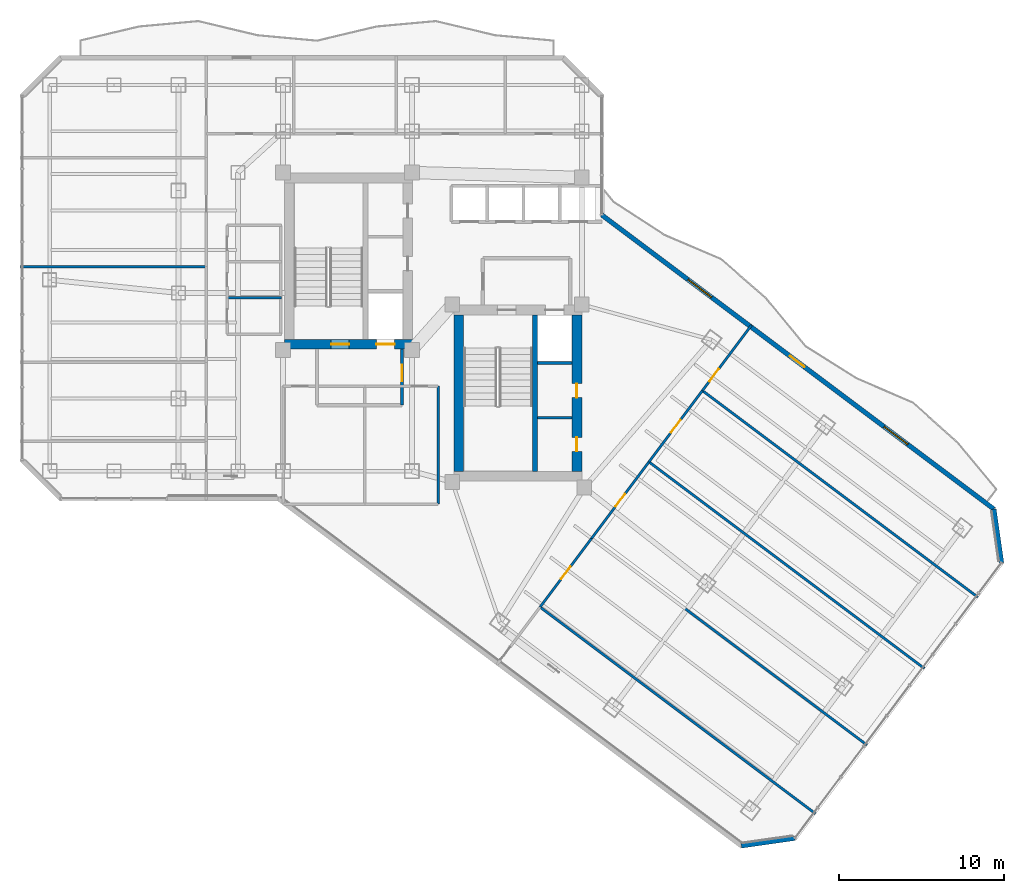
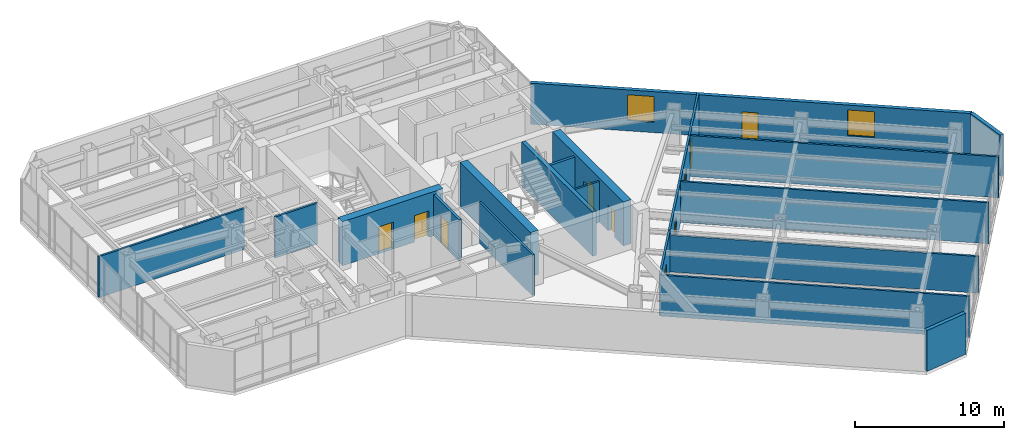
# One storey, part 24 of 31: 21 walls, 10 doors, 2 windows, 12 openings.
"""IFC4 building model written with IfcOpenShell, lengths in metres."""

import ifcopenshell
import ifcopenshell.guid

model = None  # the IFC model being written
_history = None  # IfcOwnerHistory: only IFC2X3 demands one
_inside = {}  # id of a spatial element -> (the spatial element, [elements in it])
_under = {}  # id of a project, library or spatial element -> (it, [spatial elements below it])
_declared = {}  # id of a project -> (the project, [libraries it declares])
_typed = {}  # id of a type object -> (the type object, [elements of that type])
_made_of = {}  # id of a material, layer set ... -> (it, [elements and type objects made of it])


def new_model(schema):
    """Start an empty IFC model of exactly this schema.

    Asked for "IFC4X3", IfcOpenShell would pick the latest addendum, in which some entities
    have other attributes; the version numbers below select the first issue.
    IFC2X3 requires an IfcOwnerHistory on every rooted entity: one is made here for all.
    """
    global model, _history
    if schema == "IFC4X3":
        model = ifcopenshell.file(schema_version=(4, 3, 0, 0))
    else:
        model = ifcopenshell.file(schema=schema)
    _inside.clear()
    _under.clear()
    _declared.clear()
    _typed.clear()
    _made_of.clear()
    _history = None
    if model.schema == "IFC2X3":
        org = make("IfcOrganization", Name="unknown")
        user = make(
            "IfcPersonAndOrganization",
            ThePerson=make("IfcPerson", FamilyName="unknown"),
            TheOrganization=org,
        )
        app = make(
            "IfcApplication",
            ApplicationDeveloper=org,
            Version="unknown",
            ApplicationFullName="unknown",
            ApplicationIdentifier="unknown",
        )
        _history = make(
            "IfcOwnerHistory",
            OwningUser=user,
            OwningApplication=app,
            ChangeAction="ADDED",
            CreationDate=0,
        )
    return model


def make(cls, **values):
    """One entity of the class cls with the attributes given. An attribute that is None is left unset."""
    return model.create_entity(
        cls, **{name: value for name, value in values.items() if value is not None}
    )


def rooted(cls, **values):
    """An entity with a GlobalId (a new one), such as an element, a storey or a relation."""
    return make(cls, GlobalId=ifcopenshell.guid.new(), OwnerHistory=_history, **values)


def si_unit(unit_type, name, prefix=None):
    """IfcSIUnit, for example si_unit("LENGTHUNIT", "METRE", prefix="MILLI")."""
    return make("IfcSIUnit", UnitType=unit_type, Prefix=prefix, Name=name)


def assignment(units):
    """IfcUnitAssignment: the units of a project."""
    return None if units is None else make("IfcUnitAssignment", Units=units)


def point(xyz):
    """IfcCartesianPoint."""
    return None if xyz is None else make("IfcCartesianPoint", Coordinates=xyz)


def direction(xyz):
    """IfcDirection."""
    return None if xyz is None else make("IfcDirection", DirectionRatios=xyz)


def frame(location, z_axis=None, x_axis=None):
    """IfcAxis2Placement3D, a coordinate frame: its origin and axes. An axis left out is left unset."""
    return make(
        "IfcAxis2Placement3D",
        Location=point(location),
        Axis=direction(z_axis),
        RefDirection=direction(x_axis),
    )


def frame_2d(location, x_axis=None):
    """IfcAxis2Placement2D, a coordinate frame in the plane: its origin and x axis."""
    return make(
        "IfcAxis2Placement2D", Location=point(location), RefDirection=direction(x_axis)
    )


def origin():
    """The frame at (0, 0, 0) with its axes left unset."""
    return frame((0.0, 0.0, 0.0))


def place(relative_to, where):
    """IfcLocalPlacement: puts the frame where relative to a parent placement (None: the world)."""
    return make(
        "IfcLocalPlacement", PlacementRelTo=relative_to, RelativePlacement=where
    )


def context(
    kind, dimensions, precision=None, world=None, true_north=None, identifier=None
):
    """IfcGeometricRepresentationContext, for example the 3D "Model" context."""
    return make(
        "IfcGeometricRepresentationContext",
        ContextIdentifier=identifier,
        ContextType=kind,
        CoordinateSpaceDimension=dimensions,
        Precision=precision,
        WorldCoordinateSystem=world,
        TrueNorth=true_north,
    )


def subcontext(parent, identifier, kind, view, scale=None):
    """IfcGeometricRepresentationSubContext, for example "Body" below "Model"."""
    return make(
        "IfcGeometricRepresentationSubContext",
        ContextIdentifier=identifier,
        ContextType=kind,
        ParentContext=parent,
        TargetScale=scale,
        TargetView=view,
    )


def project(units=None, contexts=None):
    """IfcProject with its units and contexts."""
    return rooted(
        "IfcProject",
        Name="project",
        RepresentationContexts=contexts,
        UnitsInContext=assignment(units),
    )


def spatial(cls, under=None, at=None, **own):
    """A site, building, storey or space (cls), placed at a placement, below another one or the project."""
    s = rooted(cls, ObjectPlacement=at, **own)
    if under is not None:
        _under.setdefault(under.id(), (under, []))[1].append(s)
    return s


def profile(cls, at=None, kind="AREA", **sizes):
    """A parametric profile (cls). Its sizes go by their IFC names, for example OverallWidth=200.0."""
    return make(cls, ProfileType=kind, Position=at, **sizes)


def rectangle(**sizes):
    """IfcRectangleProfileDef."""
    return profile("IfcRectangleProfileDef", **sizes)


def extrude(swept, where, along, depth):
    """IfcExtrudedAreaSolid: the profile swept, set in the frame where, extruded along a direction by depth."""
    return make(
        "IfcExtrudedAreaSolid",
        SweptArea=swept,
        Position=where,
        ExtrudedDirection=direction(along),
        Depth=depth,
    )


def shape(context_of_items, identifier, shape_type, items):
    """IfcShapeRepresentation: the items that make up one representation, for example the "Body"."""
    return make(
        "IfcShapeRepresentation",
        ContextOfItems=context_of_items,
        RepresentationIdentifier=identifier,
        RepresentationType=shape_type,
        Items=items,
    )


def material(Name=None, Category=None):
    """IfcMaterial."""
    return make("IfcMaterial", Name=Name, Category=Category)


def layer(
    of_material, thickness, ventilated=None, Name=None, Category=None, Priority=None
):
    """IfcMaterialLayer: one layer of a wall or slab, of a material (None: an air gap)."""
    return make(
        "IfcMaterialLayer",
        Material=of_material,
        LayerThickness=thickness,
        IsVentilated=ventilated,
        Name=Name,
        Category=Category,
        Priority=Priority,
    )


def layer_set(layers, Name=None):
    """IfcMaterialLayerSet."""
    return make("IfcMaterialLayerSet", MaterialLayers=layers, LayerSetName=Name)


def made_of(thing, what):
    """Note that an element or type object is made of a material, layer set ...; save() writes the relation."""
    if what is not None:
        _made_of.setdefault(what.id(), (what, []))[1].append(thing)
    return thing


def type_object(cls, material=None, **own):
    """A type object (cls), such as IfcWallType, which elements share."""
    return made_of(rooted(cls, **own), material)


def element(
    cls,
    number,
    at=None,
    inside=None,
    cuts=None,
    type_object=None,
    material=None,
    context=None,
    identifier="Body",
    shape_type=None,
    held_by="IfcProductDefinitionShape",
    body=None,
    shapes=None,
    **own,
):
    """One element of the class cls, such as IfcWall. Its Tag is "e" and its number.

    at: its placement. inside: the storey or other place that contains it. cuts: it is an
    opening in that element (IfcRelVoidsElement). A single representation is given by context,
    identifier, shape_type and body (its items); several are given by shapes. held_by: the class
    of the entity that holds the representations. save() writes the other relations.
    """
    e = rooted(cls, Tag="e%d" % number, ObjectPlacement=at, **own)
    if body is not None:
        shapes = [shape(context, identifier, shape_type, body)]
    if shapes is not None:
        e.Representation = make(held_by, Representations=shapes)
    if inside is not None:
        _inside.setdefault(inside.id(), (inside, []))[1].append(e)
    if cuts is not None:
        rooted(
            "IfcRelVoidsElement", RelatingBuildingElement=cuts, RelatedOpeningElement=e
        )
    if type_object is not None:
        _typed.setdefault(type_object.id(), (type_object, []))[1].append(e)
    return made_of(e, material)


def fill(opening, filler):
    """IfcRelFillsElement: the door or window that sits in an opening."""
    return rooted(
        "IfcRelFillsElement",
        RelatingOpeningElement=opening,
        RelatedBuildingElement=filler,
    )


def aggregate(whole, parts):
    """IfcRelAggregates: a whole, such as a stair, and the parts it consists of."""
    return rooted("IfcRelAggregates", RelatingObject=whole, RelatedObjects=parts)


def save(model, path):
    """Write the relations noted so far, then the file.

    IfcRelAggregates (storeys below a building ...), IfcRelContainedInSpatialStructure (elements
    in a storey), IfcRelDefinesByType, IfcRelAssociatesMaterial and IfcRelDeclares: one each for
    every whole, place, type object, material and project.
    """
    for whole, parts in _under.values():
        aggregate(whole, parts)
    for where, things in _inside.values():
        rooted(
            "IfcRelContainedInSpatialStructure",
            RelatedElements=things,
            RelatingStructure=where,
        )
    for kind, things in _typed.values():
        rooted("IfcRelDefinesByType", RelatedObjects=things, RelatingType=kind)
    for what, things in _made_of.values():
        rooted("IfcRelAssociatesMaterial", RelatedObjects=things, RelatingMaterial=what)
    for by, libraries in _declared.values():
        rooted("IfcRelDeclares", RelatingContext=by, RelatedDefinitions=libraries)
    model.write(path)


model = new_model("IFC4")

# Units and contexts
model_context = context("Model", 3, precision=1e-05, world=origin(), true_north=direction((0.0, 1.0)))
body_context = subcontext(model_context, "Body", "Model", "MODEL_VIEW")
ifc_project = project(units=[si_unit("LENGTHUNIT", "METRE"), si_unit("AREAUNIT", "SQUARE_METRE"), si_unit("VOLUMEUNIT", "CUBIC_METRE"), si_unit("PLANEANGLEUNIT", "RADIAN"), si_unit("MASSUNIT", "GRAM", prefix="KILO")], contexts=[model_context])

# Site, building, storey
site_placement = place(None, origin())
site = spatial("IfcSite", under=ifc_project, at=site_placement, CompositionType="ELEMENT")
building_placement = place(site_placement, origin())
building = spatial("IfcBuilding", under=site, at=building_placement, Name="Hatsunagi Terrace Concourse", CompositionType="ELEMENT")
storey_placement = place(building_placement, frame((0.0, 0.0, 112.050048828125)))
storey = spatial("IfcBuildingStorey", under=building, at=storey_placement, Name="L29", CompositionType="ELEMENT", Elevation=112.050048828125)

# Wall, openings, doors
ifc_material_1 = material(Name="Concrete Fc48", Category="concrete")
ifc_layer_1 = layer(ifc_material_1, 0.60009765625)
ifc_layer_set_1 = layer_set([ifc_layer_1], Name="CoreShearWall_Fc48_600")
wall_type_1 = type_object("IfcWallType", Name="CoreShearWall_Fc48_600", PredefinedType="SHEAR", material=ifc_layer_set_1)
wall_1_placement = place(storey_placement, frame((25.6201171875, 32.889892578125, 0.0), z_axis=(0.0, 0.0, 1.0), x_axis=(1.0, 0.0, 0.0)))
wall_1 = element("IfcWall", 1, at=wall_1_placement, inside=storey, type_object=wall_type_1, Name="Core A Shear Wall S L29", PredefinedType="SHEAR", context=body_context, shape_type="SweptSolid", body=[
    extrude(rectangle(XDim=7.77978515625, YDim=0.60009765625, at=frame_2d((3.889892578125, 0.0))), origin(), (0.0, 0.0, 1.0), 3.599853515625),
])
opening_1_placement = place(wall_1_placement, frame((2.830078125, 0.0, 0.0)))
opening_1 = element("IfcOpeningElement", 2, at=opening_1_placement, cuts=wall_1, Name="Opening DR-110S", PredefinedType="OPENING", context=body_context, shape_type="SweptSolid", body=[
    extrude(rectangle(XDim=1.10009765625, YDim=2.199951171875, at=frame_2d((0.550048828125, 1.10009765625))), frame((0.0, 0.31005859375, 0.0), z_axis=(0.0, -1.0, 0.0), x_axis=(1.0, 0.0, 0.0)), (0.0, 0.0, 1.0), 0.6201171875),
])
opening_2_placement = place(wall_1_placement, frame((5.580078125, 0.0, 0.0)))
opening_2 = element("IfcOpeningElement", 3, at=opening_2_placement, cuts=wall_1, Name="Opening LD-01", PredefinedType="OPENING", context=body_context, shape_type="SweptSolid", body=[
    extrude(rectangle(XDim=1.10009765625, YDim=2.14990234375, at=frame_2d((0.550048828125, 1.074951171875))), frame((0.0, 0.31005859375, 0.0), z_axis=(0.0, -1.0, 0.0), x_axis=(1.0, 0.0, 0.0)), (0.0, 0.0, 1.0), 0.6201171875),
])
ifc_material_2 = material(Name="Stainless steel", Category="steel")
door_type_1 = type_object("IfcDoorType", Name="LiftLandingDoor_LD01", OperationType="SLIDING_TO_LEFT", PredefinedType="USERDEFINED", material=ifc_material_2)
door_1_placement = place(opening_2_placement, origin())
door_1 = element("IfcDoor", 4, at=door_1_placement, inside=storey, type_object=door_type_1, Name="Lift landing door FF-01 L29", ObjectType="SLIDING_LANDING_DOOR", OperationType="SLIDING_TO_LEFT", OverallHeight=2.14990234375, OverallWidth=1.10009765625, PredefinedType="USERDEFINED", context=body_context, shape_type="SweptSolid", body=[
    extrude(rectangle(XDim=1.10009765625, YDim=2.14990234375, at=frame_2d((0.550048828125, 1.074951171875))), frame((0.0, 0.02490234375, 0.0), z_axis=(0.0, -1.0, 0.0), x_axis=(1.0, 0.0, 0.0)), (0.0, 0.0, 1.0), 0.050048828125),
])
fill(opening_2, door_1)
ifc_material_3 = material(Name="Painted steel", Category="steel")
door_type_2 = type_object("IfcDoorType", Name="StairFireDoor_EI60_1100", OperationType="NOTDEFINED", PredefinedType="DOOR", material=ifc_material_3)
door_2_placement = place(opening_1_placement, origin())
door_2 = element("IfcDoor", 5, at=door_2_placement, inside=storey, type_object=door_type_2, Name="Stair ST-A Exit Door L29", OperationType="SINGLE_SWING_LEFT", OverallHeight=2.199951171875, OverallWidth=1.10009765625, PredefinedType="DOOR", context=body_context, shape_type="SweptSolid", body=[
    extrude(rectangle(XDim=1.10009765625, YDim=2.199951171875, at=frame_2d((0.550048828125, 1.10009765625))), frame((0.0, 0.02490234375, 0.0), z_axis=(0.0, -1.0, 0.0), x_axis=(1.0, 0.0, 0.0)), (0.0, 0.0, 1.0), 0.050048828125),
])
fill(opening_1, door_2)

# Wall
wall_2_placement = place(storey_placement, frame((36.18994140625, 25.18994140625, 0.0), z_axis=(0.0, 0.0, 1.0), x_axis=(0.0, 1.0, 0.0)))
element("IfcWall", 6, at=wall_2_placement, inside=storey, type_object=wall_type_1, Name="Core B Shear Wall W L29", PredefinedType="SHEAR", context=body_context, shape_type="SweptSolid", body=[
    extrude(rectangle(XDim=9.47998046875, YDim=0.60009765625, at=frame_2d((4.739990234375, 0.0))), origin(), (0.0, 0.0, 1.0), 3.599853515625),
])

# Wall, openings, doors
wall_3_placement = place(storey_placement, frame((43.35009765625, 25.18994140625, 0.0), z_axis=(0.0, 0.0, 1.0), x_axis=(0.0, 1.0, 0.0)))
wall_3 = element("IfcWall", 7, at=wall_3_placement, inside=storey, type_object=wall_type_1, Name="Core B Shear Wall E L29", PredefinedType="SHEAR", context=body_context, shape_type="SweptSolid", body=[
    extrude(rectangle(XDim=9.47998046875, YDim=0.60009765625, at=frame_2d((4.739990234375, 0.0))), origin(), (0.0, 0.0, 1.0), 3.599853515625),
])
opening_3_placement = place(wall_3_placement, frame((1.2099609375, 0.0, 0.0)))
opening_3 = element("IfcOpeningElement", 8, at=opening_3_placement, cuts=wall_3, Name="Opening DR-085", PredefinedType="OPENING", context=body_context, shape_type="SweptSolid", body=[
    extrude(rectangle(XDim=0.85009765625, YDim=2.080078125, at=frame_2d((0.425048828125, 1.0400390625))), frame((0.0, 0.31005859375, 0.0), z_axis=(0.0, -1.0, 0.0), x_axis=(1.0, 0.0, 0.0)), (0.0, 0.0, 1.0), 0.6201171875),
])
opening_4_placement = place(wall_3_placement, frame((4.4599609375, 0.0, 0.0)))
opening_4 = element("IfcOpeningElement", 9, at=opening_4_placement, cuts=wall_3, Name="Opening DR-085", PredefinedType="OPENING", context=body_context, shape_type="SweptSolid", body=[
    extrude(rectangle(XDim=0.85009765625, YDim=2.080078125, at=frame_2d((0.425048828125, 1.0400390625))), frame((0.0, 0.31005859375, 0.0), z_axis=(0.0, -1.0, 0.0), x_axis=(1.0, 0.0, 0.0)), (0.0, 0.0, 1.0), 0.6201171875),
])
ifc_material_4 = material(Name="Painted steel", Category="steel")
door_type_3 = type_object("IfcDoorType", Name="RiserAccessDoor_EI60_850", OperationType="NOTDEFINED", PredefinedType="DOOR", material=ifc_material_4)
door_3_placement = place(opening_3_placement, origin())
door_3 = element("IfcDoor", 10, at=door_3_placement, inside=storey, type_object=door_type_3, Name="Core B Riser Door L29-1", OperationType="SINGLE_SWING_RIGHT", OverallHeight=2.080078125, OverallWidth=0.85009765625, PredefinedType="DOOR", context=body_context, shape_type="SweptSolid", body=[
    extrude(rectangle(XDim=0.85009765625, YDim=2.080078125, at=frame_2d((0.425048828125, 1.0400390625))), frame((0.0, 0.02490234375, 0.0), z_axis=(0.0, -1.0, 0.0), x_axis=(1.0, 0.0, 0.0)), (0.0, 0.0, 1.0), 0.050048828125),
])
fill(opening_3, door_3)
door_4_placement = place(opening_4_placement, origin())
door_4 = element("IfcDoor", 11, at=door_4_placement, inside=storey, type_object=door_type_3, Name="Core B Riser Door L29-2", OperationType="SINGLE_SWING_RIGHT", OverallHeight=2.080078125, OverallWidth=0.85009765625, PredefinedType="DOOR", context=body_context, shape_type="SweptSolid", body=[
    extrude(rectangle(XDim=0.85009765625, YDim=2.080078125, at=frame_2d((0.425048828125, 1.0400390625))), frame((0.0, 0.02490234375, 0.0), z_axis=(0.0, -1.0, 0.0), x_axis=(1.0, 0.0, 0.0)), (0.0, 0.0, 1.0), 0.050048828125),
])
fill(opening_4, door_4)

# Walls
ifc_material_5 = material(Name="Concrete Fc48", Category="concrete")
ifc_layer_2 = layer(ifc_material_5, 0.300048828125)
ifc_layer_set_2 = layer_set([ifc_layer_2], Name="CoreStairDivider_Fc48_300")
wall_type_2 = type_object("IfcWallType", Name="CoreStairDivider_Fc48_300", PredefinedType="SHEAR", material=ifc_layer_set_2)
wall_4_placement = place(storey_placement, frame((40.81005859375, 25.18994140625, 0.0), z_axis=(0.0, 0.0, 1.0), x_axis=(0.0, 1.0, 0.0)))
element("IfcWall", 12, at=wall_4_placement, inside=storey, type_object=wall_type_2, Name="Core B Shear Wall D L29", PredefinedType="SHEAR", context=body_context, shape_type="SweptSolid", body=[
    extrude(rectangle(XDim=9.47998046875, YDim=0.300048828125, at=frame_2d((4.739990234375, 0.0))), origin(), (0.0, 0.0, 1.0), 3.599853515625),
])
ifc_material_6 = material(Name="Acoustic mineral board", Category="gypsum")
ifc_layer_3 = layer(ifc_material_6, 0.14990234375)
ifc_layer_set_3 = layer_set([ifc_layer_3], Name="PartitionWall_EI60_150")
wall_type_3 = type_object("IfcWallType", Name="PartitionWall_EI60_150", PredefinedType="PARTITIONING", material=ifc_layer_set_3)
wall_5_placement = place(storey_placement, frame((40.969970703125, 28.449951171875, 0.0), z_axis=(0.0, 0.0, 1.0), x_axis=(1.0, 0.0, 0.0)))
element("IfcWall", 13, at=wall_5_placement, inside=storey, type_object=wall_type_3, Name="Interior Partition IW-L29-004", PredefinedType="PARTITIONING", context=body_context, shape_type="SweptSolid", body=[
    extrude(rectangle(XDim=2.080078125, YDim=0.14990234375, at=frame_2d((1.0400390625, 0.0))), origin(), (0.0, 0.0, 1.0), 3.349853515625),
])
wall_6_placement = place(storey_placement, frame((22.14990234375, 35.699951171875, 0.0), z_axis=(0.0, 0.0, 1.0), x_axis=(1.0, 0.0, 0.0)))
element("IfcWall", 14, at=wall_6_placement, inside=storey, type_object=wall_type_3, Name="Interior Partition IW-L29-020", PredefinedType="PARTITIONING", context=body_context, shape_type="SweptSolid", body=[
    extrude(rectangle(XDim=3.300048828125, YDim=0.14990234375, at=frame_2d((1.64990234375, 0.0))), origin(), (0.0, 0.0, 1.0), 3.349853515625),
])
wall_7_placement = place(storey_placement, frame((34.949951171875, 23.199951171875, 0.0), z_axis=(0.0, 0.0, 1.0), x_axis=(0.0, 1.0, 0.0)))
element("IfcWall", 15, at=wall_7_placement, inside=storey, type_object=wall_type_3, Name="Interior Partition IW-L29-031", PredefinedType="PARTITIONING", context=body_context, shape_type="SweptSolid", body=[
    extrude(rectangle(XDim=7.150146484375, YDim=0.14990234375, at=frame_2d((3.5751953125, 0.0))), origin(), (0.0, 0.0, 1.0), 3.349853515625),
])
wall_8_placement = place(storey_placement, frame((9.639892578125, 37.60009765625, 0.0), z_axis=(0.0, 0.0, 1.0), x_axis=(1.0, 0.0, 0.0)))
element("IfcWall", 16, at=wall_8_placement, inside=storey, type_object=wall_type_3, Name="Interior Partition IW-L29-036", PredefinedType="PARTITIONING", context=body_context, shape_type="SweptSolid", body=[
    extrude(rectangle(XDim=11.260009765625, YDim=0.14990234375, at=frame_2d((5.6298828125, 0.0))), origin(), (0.0, 0.0, 1.0), 3.349853515625),
])
wall_9_placement = place(storey_placement, frame((41.1201171875, 16.9599609375, 0.0), z_axis=(0.0, 0.0, 1.0), x_axis=(0.800002808908, -0.599996254772, 0.0)))
element("IfcWall", 17, at=wall_9_placement, inside=storey, type_object=wall_type_3, Name="Interior Partition IW-L29-048", PredefinedType="PARTITIONING", context=body_context, shape_type="SweptSolid", body=[
    extrude(rectangle(XDim=20.85986328125, YDim=0.14990234375, at=frame_2d((10.429931640625, 0.0))), origin(), (0.0, 0.0, 1.0), 3.349853515625),
])
wall_10_placement = place(storey_placement, frame((44.239990234375, 21.1201171875, 0.0), z_axis=(0.0, 0.0, 1.0), x_axis=(0.799997191095, -0.600003745189, 0.0)))
element("IfcWall", 18, at=wall_10_placement, inside=storey, type_object=wall_type_3, Name="Interior Partition IW-L29-050", PredefinedType="PARTITIONING", context=body_context, shape_type="SweptSolid", body=[
    extrude(rectangle(XDim=20.860107421875, YDim=0.14990234375, at=frame_2d((10.43017578125, 0.0))), origin(), (0.0, 0.0, 1.0), 2.994873046875),
])

# Wall, opening, door
wall_11_placement = place(storey_placement, frame((41.1201171875, 16.9599609375, 0.0), z_axis=(0.0, 0.0, 1.0), x_axis=(0.599969951782, 0.800022535282, 0.0)))
wall_11 = element("IfcWall", 19, at=wall_11_placement, inside=storey, type_object=wall_type_3, Name="Interior Partition IW-L29-051", PredefinedType="PARTITIONING", context=body_context, shape_type="SweptSolid", body=[
    extrude(rectangle(XDim=5.199951171875, YDim=0.14990234375, at=frame_2d((2.60009765625, 0.0))), origin(), (0.0, 0.0, 1.0), 3.349853515625),
])
opening_5_placement = place(wall_11_placement, frame((2.125, 0.0, 0.0)))
opening_5 = element("IfcOpeningElement", 20, at=opening_5_placement, cuts=wall_11, Name="Opening DR-095", PredefinedType="OPENING", context=body_context, shape_type="SweptSolid", body=[
    extrude(rectangle(XDim=0.949951171875, YDim=2.14990234375, at=frame_2d((0.47509765625, 1.074951171875))), frame((0.0, 0.0849609375, 0.0), z_axis=(0.0, -1.0, 0.0), x_axis=(1.0, 0.0, 0.0)), (0.0, 0.0, 1.0), 0.169921875),
])
ifc_material_7 = material(Name="Hardwood timber", Category="wood")
door_type_4 = type_object("IfcDoorType", Name="InteriorSuiteDoor_EI30_950", OperationType="NOTDEFINED", PredefinedType="DOOR", material=ifc_material_7)
door_5_placement = place(opening_5_placement, origin())
door_5 = element("IfcDoor", 21, at=door_5_placement, inside=storey, type_object=door_type_4, Name="Executive Office L29-OSE2 Door", OperationType="SINGLE_SWING_RIGHT", OverallHeight=2.14990234375, OverallWidth=0.949951171875, PredefinedType="DOOR", context=body_context, shape_type="SweptSolid", body=[
    extrude(rectangle(XDim=0.949951171875, YDim=2.14990234375, at=frame_2d((0.47509765625, 1.074951171875))), frame((0.0, 0.02490234375, 0.0), z_axis=(0.0, -1.0, 0.0), x_axis=(1.0, 0.0, 0.0)), (0.0, 0.0, 1.0), 0.050048828125),
])
fill(opening_5, door_5)

# Wall
wall_12_placement = place(storey_placement, frame((47.719970703125, 25.760009765625, 0.0), z_axis=(0.0, 0.0, 1.0), x_axis=(0.799997191095, -0.600003745189, 0.0)))
element("IfcWall", 22, at=wall_12_placement, inside=storey, type_object=wall_type_3, Name="Interior Partition IW-L29-052", PredefinedType="PARTITIONING", context=body_context, shape_type="SweptSolid", body=[
    extrude(rectangle(XDim=20.860107421875, YDim=0.14990234375, at=frame_2d((10.43017578125, 0.0))), origin(), (0.0, 0.0, 1.0), 3.349853515625),
])

# Wall, opening, door
wall_13_placement = place(storey_placement, frame((44.239990234375, 21.1201171875, 0.0), z_axis=(0.0, 0.0, 1.0), x_axis=(0.600006735006, 0.799994948701, 0.0)))
wall_13 = element("IfcWall", 23, at=wall_13_placement, inside=storey, type_object=wall_type_3, Name="Interior Partition IW-L29-053", PredefinedType="PARTITIONING", context=body_context, shape_type="SweptSolid", body=[
    extrude(rectangle(XDim=5.7998046875, YDim=0.14990234375, at=frame_2d((2.89990234375, 0.0))), origin(), (0.0, 0.0, 1.0), 3.349853515625),
])
opening_6_placement = place(wall_13_placement, frame((2.425048828125, 0.0, 0.0)))
opening_6 = element("IfcOpeningElement", 24, at=opening_6_placement, cuts=wall_13, Name="Opening DR-095", PredefinedType="OPENING", context=body_context, shape_type="SweptSolid", body=[
    extrude(rectangle(XDim=0.949951171875, YDim=2.14990234375, at=frame_2d((0.47509765625, 1.074951171875))), frame((0.0, 0.0849609375, 0.0), z_axis=(0.0, -1.0, 0.0), x_axis=(1.0, 0.0, 0.0)), (0.0, 0.0, 1.0), 0.169921875),
])
door_6_placement = place(opening_6_placement, origin())
door_6 = element("IfcDoor", 25, at=door_6_placement, inside=storey, type_object=door_type_4, Name="Meeting Room L29-OSE3 Door", OperationType="SINGLE_SWING_RIGHT", OverallHeight=2.14990234375, OverallWidth=0.949951171875, PredefinedType="DOOR", context=body_context, shape_type="SweptSolid", body=[
    extrude(rectangle(XDim=0.949951171875, YDim=2.14990234375, at=frame_2d((0.47509765625, 1.074951171875))), frame((0.0, 0.02490234375, 0.0), z_axis=(0.0, -1.0, 0.0), x_axis=(1.0, 0.0, 0.0)), (0.0, 0.0, 1.0), 0.050048828125),
])
fill(opening_6, door_6)

# Wall
wall_14_placement = place(storey_placement, frame((50.9599609375, 30.080078125, 0.0), z_axis=(0.0, 0.0, 1.0), x_axis=(0.799997191095, -0.600003745189, 0.0)))
element("IfcWall", 26, at=wall_14_placement, inside=storey, type_object=wall_type_3, Name="Interior Partition IW-L29-054", PredefinedType="PARTITIONING", context=body_context, shape_type="SweptSolid", body=[
    extrude(rectangle(XDim=20.860107421875, YDim=0.14990234375, at=frame_2d((10.43017578125, 0.0))), origin(), (0.0, 0.0, 1.0), 3.349853515625),
])

# Wall, opening, door
wall_15_placement = place(storey_placement, frame((47.719970703125, 25.760009765625, 0.0), z_axis=(0.0, 0.0, 1.0), x_axis=(0.599992766245, 0.800005425265, 0.0)))
wall_15 = element("IfcWall", 27, at=wall_15_placement, inside=storey, type_object=wall_type_3, Name="Interior Partition IW-L29-055", PredefinedType="PARTITIONING", context=body_context, shape_type="SweptSolid", body=[
    extrude(rectangle(XDim=5.400146484375, YDim=0.14990234375, at=frame_2d((2.7001953125, 0.0))), origin(), (0.0, 0.0, 1.0), 3.349853515625),
])
opening_7_placement = place(wall_15_placement, frame((2.22509765625, 0.0, 0.0)))
opening_7 = element("IfcOpeningElement", 28, at=opening_7_placement, cuts=wall_15, Name="Opening DR-095", PredefinedType="OPENING", context=body_context, shape_type="SweptSolid", body=[
    extrude(rectangle(XDim=0.949951171875, YDim=2.14990234375, at=frame_2d((0.47509765625, 1.074951171875))), frame((0.0, 0.0849609375, 0.0), z_axis=(0.0, -1.0, 0.0), x_axis=(1.0, 0.0, 0.0)), (0.0, 0.0, 1.0), 0.169921875),
])
door_7_placement = place(opening_7_placement, origin())
door_7 = element("IfcDoor", 29, at=door_7_placement, inside=storey, type_object=door_type_4, Name="Design Studio L29-OSE4 Door", OperationType="SINGLE_SWING_RIGHT", OverallHeight=2.14990234375, OverallWidth=0.949951171875, PredefinedType="DOOR", context=body_context, shape_type="SweptSolid", body=[
    extrude(rectangle(XDim=0.949951171875, YDim=2.14990234375, at=frame_2d((0.47509765625, 1.074951171875))), frame((0.0, 0.02490234375, 0.0), z_axis=(0.0, -1.0, 0.0), x_axis=(1.0, 0.0, 0.0)), (0.0, 0.0, 1.0), 0.050048828125),
])
fill(opening_7, door_7)

wall_16_placement = place(storey_placement, frame((50.9599609375, 30.080078125, 0.0), z_axis=(0.0, 0.0, 1.0), x_axis=(0.600007875382, 0.799994093403, 0.0)))
wall_16 = element("IfcWall", 30, at=wall_16_placement, inside=storey, type_object=wall_type_3, Name="Interior Partition IW-L29-056", PredefinedType="PARTITIONING", context=body_context, shape_type="SweptSolid", body=[
    extrude(rectangle(XDim=4.9599609375, YDim=0.14990234375, at=frame_2d((2.47998046875, 0.0))), origin(), (0.0, 0.0, 1.0), 3.349853515625),
])
opening_8_placement = place(wall_16_placement, frame((0.705078125, 0.0, 0.0)))
opening_8 = element("IfcOpeningElement", 31, at=opening_8_placement, cuts=wall_16, Name="Opening DR-095", PredefinedType="OPENING", context=body_context, shape_type="SweptSolid", body=[
    extrude(rectangle(XDim=0.949951171875, YDim=2.14990234375, at=frame_2d((0.47509765625, 1.074951171875))), frame((0.0, 0.0849609375, 0.0), z_axis=(0.0, -1.0, 0.0), x_axis=(1.0, 0.0, 0.0)), (0.0, 0.0, 1.0), 0.169921875),
])
door_8_placement = place(opening_8_placement, origin())
door_8 = element("IfcDoor", 32, at=door_8_placement, inside=storey, type_object=door_type_4, Name="Focus Room L29-OSE5 Door", OperationType="SINGLE_SWING_RIGHT", OverallHeight=2.14990234375, OverallWidth=0.949951171875, PredefinedType="DOOR", context=body_context, shape_type="SweptSolid", body=[
    extrude(rectangle(XDim=0.949951171875, YDim=2.14990234375, at=frame_2d((0.47509765625, 1.074951171875))), frame((0.0, 0.02490234375, 0.0), z_axis=(0.0, -1.0, 0.0), x_axis=(1.0, 0.0, 0.0)), (0.0, 0.0, 1.0), 0.050048828125),
])
fill(opening_8, door_8)

# Wall
ifc_material_8 = material(Name="Acoustic mineral board", Category="gypsum")
ifc_layer_4 = layer(ifc_material_8, 0.199951171875)
ifc_layer_set_4 = layer_set([ifc_layer_4], Name="ShaftWall_EI120_200")
wall_type_4 = type_object("IfcWallType", Name="ShaftWall_EI120_200", PredefinedType="STANDARD", material=ifc_layer_set_4)
wall_17_placement = place(storey_placement, frame((40.969970703125, 31.760009765625, 0.0), z_axis=(0.0, 0.0, 1.0), x_axis=(1.0, 0.0, 0.0)))
element("IfcWall", 33, at=wall_17_placement, inside=storey, type_object=wall_type_4, Name="Interior Partition IW-L29-003", PredefinedType="STANDARD", context=body_context, shape_type="SweptSolid", body=[
    extrude(rectangle(XDim=2.080078125, YDim=0.199951171875, at=frame_2d((1.0400390625, 0.0))), origin(), (0.0, 0.0, 1.0), 3.349853515625),
])

# Wall, opening, door
wall_18_placement = place(storey_placement, frame((32.75, 29.199951171875, 0.0), z_axis=(0.0, 0.0, 1.0), x_axis=(0.0, 1.0, 0.0)))
wall_18 = element("IfcWall", 34, at=wall_18_placement, inside=storey, type_object=wall_type_4, Name="Interior Partition IW-L29-007", PredefinedType="STANDARD", context=body_context, shape_type="SweptSolid", body=[
    extrude(rectangle(XDim=3.39013671875, YDim=0.199951171875, at=frame_2d((1.695068359375, 0.0))), origin(), (0.0, 0.0, 1.0), 3.349853515625),
])
opening_9_placement = place(wall_18_placement, frame((1.449951171875, 0.0, 0.0)))
opening_9 = element("IfcOpeningElement", 35, at=opening_9_placement, cuts=wall_18, Name="Opening DR-100F", PredefinedType="OPENING", context=body_context, shape_type="SweptSolid", body=[
    extrude(rectangle(XDim=1.0, YDim=2.199951171875, at=frame_2d((0.5, 1.10009765625))), frame((0.0, 0.10986328125, 0.0), z_axis=(0.0, -1.0, 0.0), x_axis=(1.0, 0.0, 0.0)), (0.0, 0.0, 1.0), 0.219970703125),
])
ifc_material_9 = material(Name="Painted steel", Category="steel")
door_type_5 = type_object("IfcDoorType", Name="FireDoor_EI60_1000", OperationType="NOTDEFINED", PredefinedType="DOOR", material=ifc_material_9)
door_9_placement = place(opening_9_placement, origin())
door_9 = element("IfcDoor", 36, at=door_9_placement, inside=storey, type_object=door_type_5, Name="Firefighting Lobby A Door L29", OperationType="SINGLE_SWING_RIGHT", OverallHeight=2.199951171875, OverallWidth=1.0, PredefinedType="DOOR", context=body_context, shape_type="SweptSolid", body=[
    extrude(rectangle(XDim=1.0, YDim=2.199951171875, at=frame_2d((0.5, 1.10009765625))), frame((0.0, 0.02490234375, 0.0), z_axis=(0.0, -1.0, 0.0), x_axis=(1.0, 0.0, 0.0)), (0.0, 0.0, 1.0), 0.050048828125),
])
fill(opening_9, door_9)

# Wall, openings, door, windows
ifc_material_10 = material(Name="Autoclaved Lightweight Concrete and Terracotta Cladding", Category="masonry")
ifc_layer_5 = layer(ifc_material_10, 0.280029296875)
ifc_layer_set_5 = layer_set([ifc_layer_5], Name="TerracottaSpandrelWall_280")
wall_type_5 = type_object("IfcWallType", Name="TerracottaSpandrelWall_280", PredefinedType="STANDARD", material=ifc_layer_set_5)
wall_19_placement = place(storey_placement, frame((44.860107421875, 40.72998046875, 0.0), z_axis=(0.0, 0.0, 1.0), x_axis=(0.800006902154, -0.599990797017, 0.0)))
wall_19 = element("IfcWall", 37, at=wall_19_placement, inside=storey, type_object=wall_type_5, Name="Exterior Spandrel Wall EW-L29-01", PredefinedType="STANDARD", context=body_context, shape_type="SweptSolid", body=[
    extrude(rectangle(XDim=29.7119140625, YDim=0.280029296875, at=frame_2d((14.85595703125, 0.0))), origin(), (0.0, 0.0, 1.0), 3.349853515625),
])
opening_10_placement = place(wall_19_placement, frame((14.2490234375, 0.0, 0.0)))
opening_10 = element("IfcOpeningElement", 38, at=opening_10_placement, cuts=wall_19, Name="Opening BD-01", PredefinedType="OPENING", context=body_context, shape_type="SweptSolid", body=[
    extrude(rectangle(XDim=1.10009765625, YDim=2.199951171875, at=frame_2d((0.550048828125, 1.10009765625))), frame((0.0, 0.14990234375, 0.0), z_axis=(0.0, -1.0, 0.0), x_axis=(1.0, 0.0, 0.0)), (0.0, 0.0, 1.0), 0.300048828125),
])
opening_11_placement = place(wall_19_placement, frame((6.528076171875, 0.0, 0.85009765625)))
opening_11 = element("IfcOpeningElement", 39, at=opening_11_placement, cuts=wall_19, Name="Opening WIN-03", PredefinedType="OPENING", context=body_context, shape_type="SweptSolid", body=[
    extrude(rectangle(XDim=1.800048828125, YDim=2.10009765625, at=frame_2d((0.89990234375, 1.050048828125))), frame((0.0, 0.14990234375, 0.0), z_axis=(0.0, -1.0, 0.0), x_axis=(1.0, 0.0, 0.0)), (0.0, 0.0, 1.0), 0.300048828125),
])
opening_12_placement = place(wall_19_placement, frame((21.384033203125, 0.0, 0.85009765625)))
opening_12 = element("IfcOpeningElement", 40, at=opening_12_placement, cuts=wall_19, Name="Opening WIN-03", PredefinedType="OPENING", context=body_context, shape_type="SweptSolid", body=[
    extrude(rectangle(XDim=1.800048828125, YDim=2.10009765625, at=frame_2d((0.89990234375, 1.050048828125))), frame((0.0, 0.14990234375, 0.0), z_axis=(0.0, -1.0, 0.0), x_axis=(1.0, 0.0, 0.0)), (0.0, 0.0, 1.0), 0.300048828125),
])
ifc_material_11 = material(Name="Galvanised Steel and Laminated Safety Glass", Category="steel")
door_type_6 = type_object("IfcDoorType", Name="BalconyTerraceAccessDoor_1100x2200", OperationType="SINGLE_SWING_LEFT", PredefinedType="DOOR", material=ifc_material_11)
door_10_placement = place(opening_10_placement, origin())
door_10 = element("IfcDoor", 41, at=door_10_placement, inside=storey, type_object=door_type_6, Name="Engawa Balcony Door L29-BSE", OperationType="SINGLE_SWING_LEFT", OverallHeight=2.199951171875, OverallWidth=1.10009765625, PredefinedType="DOOR", context=body_context, shape_type="SweptSolid", body=[
    extrude(rectangle(XDim=1.10009765625, YDim=2.199951171875, at=frame_2d((0.550048828125, 1.10009765625))), frame((0.0, 0.02490234375, 0.0), z_axis=(0.0, -1.0, 0.0), x_axis=(1.0, 0.0, 0.0)), (0.0, 0.0, 1.0), 0.050048828125),
])
fill(opening_10, door_10)
ifc_material_12 = material(Name="Thermally Broken Aluminium and Low-E Triple Glazing", Category="aluminium")
window_type = type_object("IfcWindowType", Name="OfficeCornerFeatureWindow_1800x2100", PartitioningType="SINGLE_PANEL", PredefinedType="WINDOW", material=ifc_material_12)
window_1_placement = place(opening_11_placement, origin())
window_1 = element("IfcWindow", 42, at=window_1_placement, inside=storey, type_object=window_type, Name="Balcony Daylighting Window L29-01-1", OverallHeight=2.10009765625, OverallWidth=1.800048828125, PartitioningType="SINGLE_PANEL", PredefinedType="WINDOW", context=body_context, shape_type="SweptSolid", body=[
    extrude(rectangle(XDim=1.800048828125, YDim=2.10009765625, at=frame_2d((0.89990234375, 1.050048828125))), frame((0.0, 0.030029296875, 0.0), z_axis=(0.0, -1.0, 0.0), x_axis=(1.0, 0.0, 0.0)), (0.0, 0.0, 1.0), 0.06005859375),
])
fill(opening_11, window_1)
window_2_placement = place(opening_12_placement, origin())
window_2 = element("IfcWindow", 43, at=window_2_placement, inside=storey, type_object=window_type, Name="Balcony Daylighting Window L29-01-2", OverallHeight=2.10009765625, OverallWidth=1.800048828125, PartitioningType="SINGLE_PANEL", PredefinedType="WINDOW", context=body_context, shape_type="SweptSolid", body=[
    extrude(rectangle(XDim=1.800048828125, YDim=2.10009765625, at=frame_2d((0.89990234375, 1.050048828125))), frame((0.0, 0.030029296875, 0.0), z_axis=(0.0, -1.0, 0.0), x_axis=(1.0, 0.0, 0.0)), (0.0, 0.0, 1.0), 0.06005859375),
])
fill(opening_12, window_2)

# Walls
wall_20_placement = place(storey_placement, frame((68.6298828125, 22.903076171875, 0.0), z_axis=(0.0, 0.0, 1.0), x_axis=(0.141285803956, -0.989968848803, 0.0)))
element("IfcWall", 44, at=wall_20_placement, inside=storey, type_object=wall_type_5, Name="Exterior Spandrel Wall EW-L29-02", PredefinedType="STANDARD", context=body_context, shape_type="SweptSolid", body=[
    extrude(rectangle(XDim=3.278076171875, YDim=0.280029296875, at=frame_2d((1.63916015625, 0.0))), origin(), (0.0, 0.0, 1.0), 3.349853515625),
])
wall_21_placement = place(storey_placement, frame((56.56298828125, 2.949951171875, 0.0), z_axis=(0.0, 0.0, 1.0), x_axis=(-0.989977778067, -0.141223223777, 0.0)))
element("IfcWall", 45, at=wall_21_placement, inside=storey, type_object=wall_type_5, Name="Exterior Spandrel Wall EW-L29-04", PredefinedType="STANDARD", context=body_context, shape_type="SweptSolid", body=[
    extrude(rectangle(XDim=3.27783203125, YDim=0.280029296875, at=frame_2d((1.638916015625, 0.0))), origin(), (0.0, 0.0, 1.0), 3.349853515625),
])

save(model, "model.ifc")
